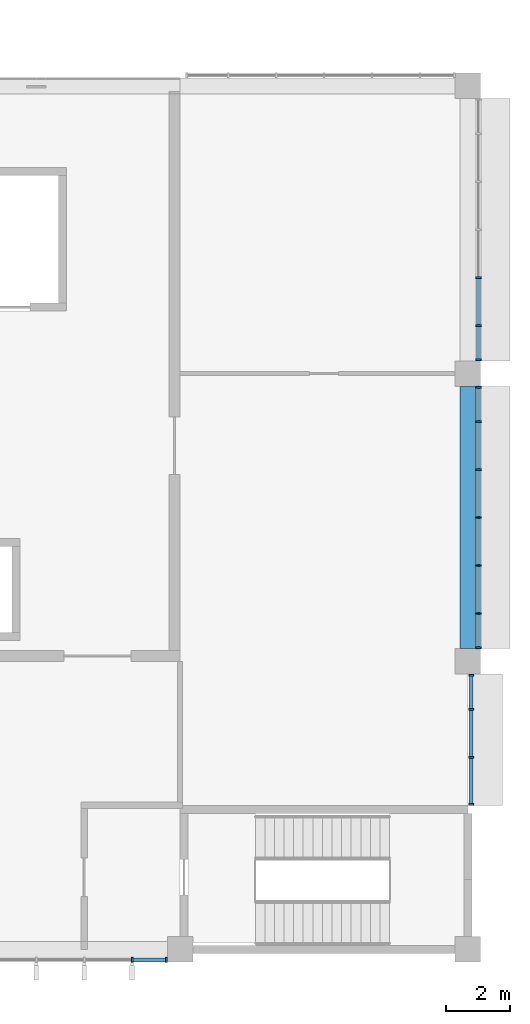
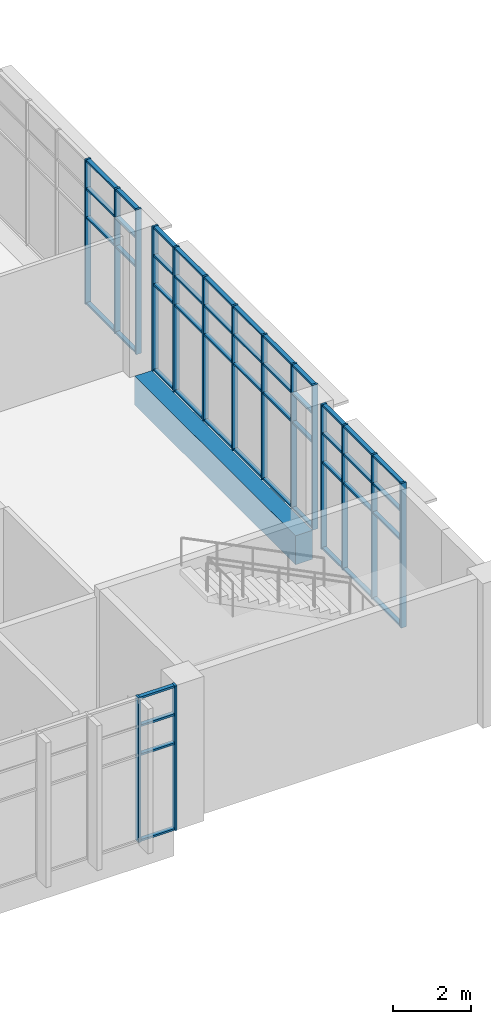
# One storey, part 22 of 43: 64 members, 1 beam, 4 elements without a shape of their own.
"""IFC4 building model written with IfcOpenShell, lengths in metres."""

from ifc_helpers import new_model, si_unit, direction, frame, origin, origin_2d, place, context, subcontext, project, spatial, rectangle, extrude, material, layer, layer_set, material_profile, profile_set, type_object, element, aggregate, save


model = new_model("IFC4")

# Units and contexts
model_context = context("Model", 3, precision=1e-05, world=origin(), true_north=direction((0.0, 1.0)))
body_context = subcontext(model_context, "Body", "Model", "MODEL_VIEW")
ifc_project = project(units=[si_unit("LENGTHUNIT", "METRE"), si_unit("AREAUNIT", "SQUARE_METRE"), si_unit("VOLUMEUNIT", "CUBIC_METRE"), si_unit("PLANEANGLEUNIT", "RADIAN"), si_unit("MASSUNIT", "GRAM", prefix="KILO")], contexts=[model_context])

# Site, building, storey
site_placement = place(None, origin())
site = spatial("IfcSite", under=ifc_project, at=site_placement, CompositionType="ELEMENT")
building_placement = place(site_placement, origin())
building = spatial("IfcBuilding", under=site, at=building_placement, Name="Guidao Yard Department Store", CompositionType="ELEMENT")
storey_placement = place(building_placement, frame((0.0, 0.0, 28.5)))
storey = spatial("IfcBuildingStorey", under=building, at=storey_placement, Name="L06", CompositionType="ELEMENT", Elevation=28.5)

# Curtain wall, members
ifc_material_1 = material(Name="Aluminium and glass", Category="aluminium")
ifc_layer = layer(ifc_material_1, 0.159912109375)
ifc_layer_set = layer_set([ifc_layer], Name="Unitised curtain wall CW4 1500 module")
curtain_wall_type = type_object("IfcCurtainWallType", Name="Unitised curtain wall CW4 1500 module", PredefinedType="NOTDEFINED", material=ifc_layer_set)
curtain_wall_1_placement = place(storey_placement, origin())
curtain_wall_1 = element("IfcCurtainWall", 1, at=curtain_wall_1_placement, inside=storey, type_object=curtain_wall_type, Name="Unitised curtain wall", PredefinedType="NOTDEFINED")
ifc_material_2 = material(Name="Aluminium 6063-T5", Category="aluminium")
ifc_material_profile_1 = material_profile(ifc_material_2, rectangle(XDim=0.06005859375, YDim=0.159912109375, at=origin_2d()), Name="Mullion M1 60 x 160 aluminium pressure plate")
ifc_profile_set_1 = profile_set([ifc_material_profile_1], Name="Aluminium 6063-T5")
member_type_1 = type_object("IfcMemberType", Name="Mullion M1 60 x 160 aluminium pressure plate", PredefinedType="MULLION", material=ifc_profile_set_1)
member_1_placement = place(storey_placement, frame((160.5, -0.330078125, 0.0), z_axis=(0.0, 0.0, 1.0), x_axis=(-1.0, 0.0, 0.0)))
member_1 = element("IfcMember", 2, at=member_1_placement, type_object=member_type_1, Name="CW-OW-L06-04 mullion 6", PredefinedType="MULLION", context=body_context, shape_type="SweptSolid", body=[
    extrude(rectangle(XDim=0.06005859375, YDim=0.159912109375, at=origin_2d()), origin(), (0.0, 0.0, 1.0), 4.5),
])
member_2_placement = place(storey_placement, frame((161.570068359375, -0.330078125, 0.0), z_axis=(0.0, 0.0, 1.0), x_axis=(-1.0, 0.0, 0.0)))
member_2 = element("IfcMember", 3, at=member_2_placement, type_object=member_type_1, Name="CW-OW-L06-04 mullion 7", PredefinedType="MULLION", context=body_context, shape_type="SweptSolid", body=[
    extrude(rectangle(XDim=0.06005859375, YDim=0.159912109375, at=origin_2d()), origin(), (0.0, 0.0, 1.0), 4.5),
])

curtain_wall_2_placement = place(storey_placement, origin())
curtain_wall_2 = element("IfcCurtainWall", 4, at=curtain_wall_2_placement, inside=storey, type_object=curtain_wall_type, Name="Unitised curtain wall", PredefinedType="NOTDEFINED")
member_3_placement = place(storey_placement, frame((171.10009765625, 4.530029296875, 0.0), z_axis=(0.0, 0.0, 1.0), x_axis=(0.0, -1.0, 0.0)))
member_3 = element("IfcMember", 5, at=member_3_placement, type_object=member_type_1, Name="CW-OW-L06-09 mullion 1", PredefinedType="MULLION", context=body_context, shape_type="SweptSolid", body=[
    extrude(rectangle(XDim=0.06005859375, YDim=0.159912109375, at=origin_2d()), origin(), (0.0, 0.0, 1.0), 4.5),
])
member_4_placement = place(storey_placement, frame((171.10009765625, 6.0, 0.0), z_axis=(0.0, 0.0, 1.0), x_axis=(0.0, -1.0, 0.0)))
member_4 = element("IfcMember", 6, at=member_4_placement, type_object=member_type_1, Name="CW-OW-L06-09 mullion 2", PredefinedType="MULLION", context=body_context, shape_type="SweptSolid", body=[
    extrude(rectangle(XDim=0.06005859375, YDim=0.159912109375, at=origin_2d()), origin(), (0.0, 0.0, 1.0), 4.5),
])
member_5_placement = place(storey_placement, frame((171.10009765625, 7.5, 0.0), z_axis=(0.0, 0.0, 1.0), x_axis=(0.0, -1.0, 0.0)))
member_5 = element("IfcMember", 7, at=member_5_placement, type_object=member_type_1, Name="CW-OW-L06-09 mullion 3", PredefinedType="MULLION", context=body_context, shape_type="SweptSolid", body=[
    extrude(rectangle(XDim=0.06005859375, YDim=0.159912109375, at=origin_2d()), origin(), (0.0, 0.0, 1.0), 4.5),
])
member_6_placement = place(storey_placement, frame((171.10009765625, 8.570068359375, 0.0), z_axis=(0.0, 0.0, 1.0), x_axis=(0.0, -1.0, 0.0)))
member_6 = element("IfcMember", 8, at=member_6_placement, type_object=member_type_1, Name="CW-OW-L06-09 mullion 4", PredefinedType="MULLION", context=body_context, shape_type="SweptSolid", body=[
    extrude(rectangle(XDim=0.06005859375, YDim=0.159912109375, at=origin_2d()), origin(), (0.0, 0.0, 1.0), 4.5),
])

curtain_wall_3_placement = place(storey_placement, origin())
curtain_wall_3 = element("IfcCurtainWall", 9, at=curtain_wall_3_placement, inside=storey, type_object=curtain_wall_type, Name="Unitised curtain wall", PredefinedType="NOTDEFINED")
member_7_placement = place(storey_placement, frame((171.330078125, 9.429931640625, 0.0), z_axis=(0.0, 0.0, 1.0), x_axis=(0.0, -1.0, 0.0)))
member_7 = element("IfcMember", 10, at=member_7_placement, type_object=member_type_1, Name="CW-OW-L06-10 mullion 1", PredefinedType="MULLION", context=body_context, shape_type="SweptSolid", body=[
    extrude(rectangle(XDim=0.06005859375, YDim=0.159912109375, at=origin_2d()), origin(), (0.0, 0.0, 1.0), 4.5),
])
member_8_placement = place(storey_placement, frame((171.330078125, 10.5, 0.0), z_axis=(0.0, 0.0, 1.0), x_axis=(0.0, -1.0, 0.0)))
member_8 = element("IfcMember", 11, at=member_8_placement, type_object=member_type_1, Name="CW-OW-L06-10 mullion 2", PredefinedType="MULLION", context=body_context, shape_type="SweptSolid", body=[
    extrude(rectangle(XDim=0.06005859375, YDim=0.159912109375, at=origin_2d()), origin(), (0.0, 0.0, 1.0), 4.5),
])
member_9_placement = place(storey_placement, frame((171.330078125, 12.0, 0.0), z_axis=(0.0, 0.0, 1.0), x_axis=(0.0, -1.0, 0.0)))
member_9 = element("IfcMember", 12, at=member_9_placement, type_object=member_type_1, Name="CW-OW-L06-10 mullion 3", PredefinedType="MULLION", context=body_context, shape_type="SweptSolid", body=[
    extrude(rectangle(XDim=0.06005859375, YDim=0.159912109375, at=origin_2d()), origin(), (0.0, 0.0, 1.0), 4.5),
])
member_10_placement = place(storey_placement, frame((171.330078125, 13.5, 0.0), z_axis=(0.0, 0.0, 1.0), x_axis=(0.0, -1.0, 0.0)))
member_10 = element("IfcMember", 13, at=member_10_placement, type_object=member_type_1, Name="CW-OW-L06-10 mullion 4", PredefinedType="MULLION", context=body_context, shape_type="SweptSolid", body=[
    extrude(rectangle(XDim=0.06005859375, YDim=0.159912109375, at=origin_2d()), origin(), (0.0, 0.0, 1.0), 4.5),
])
member_11_placement = place(storey_placement, frame((171.330078125, 15.0, 0.0), z_axis=(0.0, 0.0, 1.0), x_axis=(0.0, -1.0, 0.0)))
member_11 = element("IfcMember", 14, at=member_11_placement, type_object=member_type_1, Name="CW-OW-L06-10 mullion 5", PredefinedType="MULLION", context=body_context, shape_type="SweptSolid", body=[
    extrude(rectangle(XDim=0.06005859375, YDim=0.159912109375, at=origin_2d()), origin(), (0.0, 0.0, 1.0), 4.5),
])
member_12_placement = place(storey_placement, frame((171.330078125, 16.5, 0.0), z_axis=(0.0, 0.0, 1.0), x_axis=(0.0, -1.0, 0.0)))
member_12 = element("IfcMember", 15, at=member_12_placement, type_object=member_type_1, Name="CW-OW-L06-10 mullion 6", PredefinedType="MULLION", context=body_context, shape_type="SweptSolid", body=[
    extrude(rectangle(XDim=0.06005859375, YDim=0.159912109375, at=origin_2d()), origin(), (0.0, 0.0, 1.0), 4.5),
])
member_13_placement = place(storey_placement, frame((171.330078125, 17.570068359375, 0.0), z_axis=(0.0, 0.0, 1.0), x_axis=(0.0, -1.0, 0.0)))
member_13 = element("IfcMember", 16, at=member_13_placement, type_object=member_type_1, Name="CW-OW-L06-10 mullion 7", PredefinedType="MULLION", context=body_context, shape_type="SweptSolid", body=[
    extrude(rectangle(XDim=0.06005859375, YDim=0.159912109375, at=origin_2d()), origin(), (0.0, 0.0, 1.0), 4.5),
])

curtain_wall_4_placement = place(storey_placement, origin())
curtain_wall_4 = element("IfcCurtainWall", 17, at=curtain_wall_4_placement, inside=storey, type_object=curtain_wall_type, Name="Unitised curtain wall", PredefinedType="NOTDEFINED")
member_14_placement = place(storey_placement, frame((171.330078125, 18.429931640625, 0.0), z_axis=(0.0, 0.0, 1.0), x_axis=(0.0, -1.0, 0.0)))
member_14 = element("IfcMember", 18, at=member_14_placement, type_object=member_type_1, Name="CW-OW-L06-11 mullion 1", PredefinedType="MULLION", context=body_context, shape_type="SweptSolid", body=[
    extrude(rectangle(XDim=0.06005859375, YDim=0.159912109375, at=origin_2d()), origin(), (0.0, 0.0, 1.0), 4.5),
])
member_15_placement = place(storey_placement, frame((171.330078125, 19.5, 0.0), z_axis=(0.0, 0.0, 1.0), x_axis=(0.0, -1.0, 0.0)))
member_15 = element("IfcMember", 19, at=member_15_placement, type_object=member_type_1, Name="CW-OW-L06-11 mullion 2", PredefinedType="MULLION", context=body_context, shape_type="SweptSolid", body=[
    extrude(rectangle(XDim=0.06005859375, YDim=0.159912109375, at=origin_2d()), origin(), (0.0, 0.0, 1.0), 4.5),
])
member_16_placement = place(storey_placement, frame((171.330078125, 21.0, 0.0), z_axis=(0.0, 0.0, 1.0), x_axis=(0.0, -1.0, 0.0)))
member_16 = element("IfcMember", 20, at=member_16_placement, type_object=member_type_1, Name="CW-OW-L06-11 mullion 3", PredefinedType="MULLION", context=body_context, shape_type="SweptSolid", body=[
    extrude(rectangle(XDim=0.06005859375, YDim=0.159912109375, at=origin_2d()), origin(), (0.0, 0.0, 1.0), 4.5),
])

# Beam
ifc_material_3 = material(Name="Concrete C40", Category="concrete")
ifc_material_profile_2 = material_profile(ifc_material_3, rectangle(XDim=0.5, YDim=0.89990234375, at=origin_2d()), Name="Spandrel beam 500 x 900 C40")
ifc_profile_set_2 = profile_set([ifc_material_profile_2], Name="Concrete C40")
beam_type = type_object("IfcBeamType", Name="Spandrel beam 500 x 900 C40", PredefinedType="SPANDREL", material=ifc_profile_set_2)
beam_placement = place(storey_placement, frame((171.0, 9.39990234375, -0.449951171875), z_axis=(0.0, 1.0, 0.0), x_axis=(-1.0, 0.0, 0.0)))
element("IfcBeam", 21, at=beam_placement, inside=storey, type_object=beam_type, Name="Beam FB09", PredefinedType="SPANDREL", context=body_context, shape_type="SweptSolid", body=[
    extrude(rectangle(XDim=0.5, YDim=0.89990234375, at=origin_2d()), origin(), (0.0, 0.0, 1.0), 8.2001953125),
])

# Member
ifc_material_4 = material(Name="Aluminium 6063-T5", Category="aluminium")
ifc_material_profile_3 = material_profile(ifc_material_4, rectangle(XDim=0.1201171875, YDim=0.06005859375, at=origin_2d()), Name="Transom T1 60 x 120 aluminium pressure plate")
ifc_profile_set_3 = profile_set([ifc_material_profile_3], Name="Aluminium 6063-T5")
member_type_2 = type_object("IfcMemberType", Name="Transom T1 60 x 120 aluminium pressure plate", PredefinedType="USERDEFINED", material=ifc_profile_set_3)
member_17_placement = place(storey_placement, frame((161.5400390625, -0.330078125, 0.030029296875), z_axis=(-1.0, 0.0, 0.0), x_axis=(0.0, -1.0, 0.0)))
member_17 = element("IfcMember", 22, at=member_17_placement, type_object=member_type_2, Name="CW-OW-L06-04 transom 6.1", ObjectType="TRANSOM", PredefinedType="USERDEFINED", context=body_context, shape_type="SweptSolid", body=[
    extrude(rectangle(XDim=0.1201171875, YDim=0.06005859375, at=origin_2d()), origin(), (0.0, 0.0, 1.0), 1.010009765625),
])

member_18_placement = place(storey_placement, frame((161.5400390625, -0.330078125, 2.699951171875), z_axis=(-1.0, 0.0, 0.0), x_axis=(0.0, -1.0, 0.0)))
member_18 = element("IfcMember", 23, at=member_18_placement, type_object=member_type_2, Name="CW-OW-L06-04 transom 6.2", ObjectType="TRANSOM", PredefinedType="USERDEFINED", context=body_context, shape_type="SweptSolid", body=[
    extrude(rectangle(XDim=0.1201171875, YDim=0.06005859375, at=origin_2d()), origin(), (0.0, 0.0, 1.0), 1.010009765625),
])

member_19_placement = place(storey_placement, frame((161.5400390625, -0.330078125, 3.60009765625), z_axis=(-1.0, 0.0, 0.0), x_axis=(0.0, -1.0, 0.0)))
member_19 = element("IfcMember", 24, at=member_19_placement, type_object=member_type_2, Name="CW-OW-L06-04 transom 6.3", ObjectType="TRANSOM", PredefinedType="USERDEFINED", context=body_context, shape_type="SweptSolid", body=[
    extrude(rectangle(XDim=0.1201171875, YDim=0.06005859375, at=origin_2d()), origin(), (0.0, 0.0, 1.0), 1.010009765625),
])

member_20_placement = place(storey_placement, frame((161.5400390625, -0.330078125, 4.469970703125), z_axis=(-1.0, 0.0, 0.0), x_axis=(0.0, -1.0, 0.0)))
member_20 = element("IfcMember", 25, at=member_20_placement, type_object=member_type_2, Name="CW-OW-L06-04 transom 6.4", ObjectType="TRANSOM", PredefinedType="USERDEFINED", context=body_context, shape_type="SweptSolid", body=[
    extrude(rectangle(XDim=0.1201171875, YDim=0.06005859375, at=origin_2d()), origin(), (0.0, 0.0, 1.0), 1.010009765625),
])

aggregate(curtain_wall_1, [member_1, member_2, member_17, member_18, member_19, member_20])

member_21_placement = place(storey_placement, frame((171.10009765625, 5.969970703125, 0.030029296875), z_axis=(0.0, -1.0, 0.0), x_axis=(1.0, 0.0, 0.0)))
member_21 = element("IfcMember", 26, at=member_21_placement, type_object=member_type_2, Name="CW-OW-L06-09 transom 1.1", ObjectType="TRANSOM", PredefinedType="USERDEFINED", context=body_context, shape_type="SweptSolid", body=[
    extrude(rectangle(XDim=0.1201171875, YDim=0.06005859375, at=origin_2d()), origin(), (0.0, 0.0, 1.0), 1.409912109375),
])

member_22_placement = place(storey_placement, frame((171.10009765625, 5.969970703125, 2.699951171875), z_axis=(0.0, -1.0, 0.0), x_axis=(1.0, 0.0, 0.0)))
member_22 = element("IfcMember", 27, at=member_22_placement, type_object=member_type_2, Name="CW-OW-L06-09 transom 1.2", ObjectType="TRANSOM", PredefinedType="USERDEFINED", context=body_context, shape_type="SweptSolid", body=[
    extrude(rectangle(XDim=0.1201171875, YDim=0.06005859375, at=origin_2d()), origin(), (0.0, 0.0, 1.0), 1.409912109375),
])

member_23_placement = place(storey_placement, frame((171.10009765625, 5.969970703125, 3.60009765625), z_axis=(0.0, -1.0, 0.0), x_axis=(1.0, 0.0, 0.0)))
member_23 = element("IfcMember", 28, at=member_23_placement, type_object=member_type_2, Name="CW-OW-L06-09 transom 1.3", ObjectType="TRANSOM", PredefinedType="USERDEFINED", context=body_context, shape_type="SweptSolid", body=[
    extrude(rectangle(XDim=0.1201171875, YDim=0.06005859375, at=origin_2d()), origin(), (0.0, 0.0, 1.0), 1.409912109375),
])

member_24_placement = place(storey_placement, frame((171.10009765625, 5.969970703125, 4.469970703125), z_axis=(0.0, -1.0, 0.0), x_axis=(1.0, 0.0, 0.0)))
member_24 = element("IfcMember", 29, at=member_24_placement, type_object=member_type_2, Name="CW-OW-L06-09 transom 1.4", ObjectType="TRANSOM", PredefinedType="USERDEFINED", context=body_context, shape_type="SweptSolid", body=[
    extrude(rectangle(XDim=0.1201171875, YDim=0.06005859375, at=origin_2d()), origin(), (0.0, 0.0, 1.0), 1.409912109375),
])

member_25_placement = place(storey_placement, frame((171.10009765625, 7.469970703125, 0.030029296875), z_axis=(0.0, -1.0, 0.0), x_axis=(1.0, 0.0, 0.0)))
member_25 = element("IfcMember", 30, at=member_25_placement, type_object=member_type_2, Name="CW-OW-L06-09 transom 2.1", ObjectType="TRANSOM", PredefinedType="USERDEFINED", context=body_context, shape_type="SweptSolid", body=[
    extrude(rectangle(XDim=0.1201171875, YDim=0.06005859375, at=origin_2d()), origin(), (0.0, 0.0, 1.0), 1.43994140625),
])

member_26_placement = place(storey_placement, frame((171.10009765625, 7.469970703125, 2.699951171875), z_axis=(0.0, -1.0, 0.0), x_axis=(1.0, 0.0, 0.0)))
member_26 = element("IfcMember", 31, at=member_26_placement, type_object=member_type_2, Name="CW-OW-L06-09 transom 2.2", ObjectType="TRANSOM", PredefinedType="USERDEFINED", context=body_context, shape_type="SweptSolid", body=[
    extrude(rectangle(XDim=0.1201171875, YDim=0.06005859375, at=origin_2d()), origin(), (0.0, 0.0, 1.0), 1.43994140625),
])

member_27_placement = place(storey_placement, frame((171.10009765625, 7.469970703125, 3.60009765625), z_axis=(0.0, -1.0, 0.0), x_axis=(1.0, 0.0, 0.0)))
member_27 = element("IfcMember", 32, at=member_27_placement, type_object=member_type_2, Name="CW-OW-L06-09 transom 2.3", ObjectType="TRANSOM", PredefinedType="USERDEFINED", context=body_context, shape_type="SweptSolid", body=[
    extrude(rectangle(XDim=0.1201171875, YDim=0.06005859375, at=origin_2d()), origin(), (0.0, 0.0, 1.0), 1.43994140625),
])

member_28_placement = place(storey_placement, frame((171.10009765625, 7.469970703125, 4.469970703125), z_axis=(0.0, -1.0, 0.0), x_axis=(1.0, 0.0, 0.0)))
member_28 = element("IfcMember", 33, at=member_28_placement, type_object=member_type_2, Name="CW-OW-L06-09 transom 2.4", ObjectType="TRANSOM", PredefinedType="USERDEFINED", context=body_context, shape_type="SweptSolid", body=[
    extrude(rectangle(XDim=0.1201171875, YDim=0.06005859375, at=origin_2d()), origin(), (0.0, 0.0, 1.0), 1.43994140625),
])

member_29_placement = place(storey_placement, frame((171.10009765625, 8.5400390625, 0.030029296875), z_axis=(0.0, -1.0, 0.0), x_axis=(1.0, 0.0, 0.0)))
member_29 = element("IfcMember", 34, at=member_29_placement, type_object=member_type_2, Name="CW-OW-L06-09 transom 3.1", ObjectType="TRANSOM", PredefinedType="USERDEFINED", context=body_context, shape_type="SweptSolid", body=[
    extrude(rectangle(XDim=0.1201171875, YDim=0.06005859375, at=origin_2d()), origin(), (0.0, 0.0, 1.0), 1.010009765625),
])

member_30_placement = place(storey_placement, frame((171.10009765625, 8.5400390625, 2.699951171875), z_axis=(0.0, -1.0, 0.0), x_axis=(1.0, 0.0, 0.0)))
member_30 = element("IfcMember", 35, at=member_30_placement, type_object=member_type_2, Name="CW-OW-L06-09 transom 3.2", ObjectType="TRANSOM", PredefinedType="USERDEFINED", context=body_context, shape_type="SweptSolid", body=[
    extrude(rectangle(XDim=0.1201171875, YDim=0.06005859375, at=origin_2d()), origin(), (0.0, 0.0, 1.0), 1.010009765625),
])

member_31_placement = place(storey_placement, frame((171.10009765625, 8.5400390625, 3.60009765625), z_axis=(0.0, -1.0, 0.0), x_axis=(1.0, 0.0, 0.0)))
member_31 = element("IfcMember", 36, at=member_31_placement, type_object=member_type_2, Name="CW-OW-L06-09 transom 3.3", ObjectType="TRANSOM", PredefinedType="USERDEFINED", context=body_context, shape_type="SweptSolid", body=[
    extrude(rectangle(XDim=0.1201171875, YDim=0.06005859375, at=origin_2d()), origin(), (0.0, 0.0, 1.0), 1.010009765625),
])

member_32_placement = place(storey_placement, frame((171.10009765625, 8.5400390625, 4.469970703125), z_axis=(0.0, -1.0, 0.0), x_axis=(1.0, 0.0, 0.0)))
member_32 = element("IfcMember", 37, at=member_32_placement, type_object=member_type_2, Name="CW-OW-L06-09 transom 3.4", ObjectType="TRANSOM", PredefinedType="USERDEFINED", context=body_context, shape_type="SweptSolid", body=[
    extrude(rectangle(XDim=0.1201171875, YDim=0.06005859375, at=origin_2d()), origin(), (0.0, 0.0, 1.0), 1.010009765625),
])

aggregate(curtain_wall_2, [member_3, member_4, member_5, member_6, member_21, member_22, member_23, member_24, member_25, member_26, member_27, member_28, member_29, member_30, member_31, member_32])

member_33_placement = place(storey_placement, frame((171.330078125, 10.469970703125, 0.030029296875), z_axis=(0.0, -1.0, 0.0), x_axis=(1.0, 0.0, 0.0)))
member_33 = element("IfcMember", 38, at=member_33_placement, type_object=member_type_2, Name="CW-OW-L06-10 transom 1.1", ObjectType="TRANSOM", PredefinedType="USERDEFINED", context=body_context, shape_type="SweptSolid", body=[
    extrude(rectangle(XDim=0.1201171875, YDim=0.06005859375, at=origin_2d()), origin(), (0.0, 0.0, 1.0), 1.010009765625),
])

member_34_placement = place(storey_placement, frame((171.330078125, 10.469970703125, 2.699951171875), z_axis=(0.0, -1.0, 0.0), x_axis=(1.0, 0.0, 0.0)))
member_34 = element("IfcMember", 39, at=member_34_placement, type_object=member_type_2, Name="CW-OW-L06-10 transom 1.2", ObjectType="TRANSOM", PredefinedType="USERDEFINED", context=body_context, shape_type="SweptSolid", body=[
    extrude(rectangle(XDim=0.1201171875, YDim=0.06005859375, at=origin_2d()), origin(), (0.0, 0.0, 1.0), 1.010009765625),
])

member_35_placement = place(storey_placement, frame((171.330078125, 10.469970703125, 3.60009765625), z_axis=(0.0, -1.0, 0.0), x_axis=(1.0, 0.0, 0.0)))
member_35 = element("IfcMember", 40, at=member_35_placement, type_object=member_type_2, Name="CW-OW-L06-10 transom 1.3", ObjectType="TRANSOM", PredefinedType="USERDEFINED", context=body_context, shape_type="SweptSolid", body=[
    extrude(rectangle(XDim=0.1201171875, YDim=0.06005859375, at=origin_2d()), origin(), (0.0, 0.0, 1.0), 1.010009765625),
])

member_36_placement = place(storey_placement, frame((171.330078125, 10.469970703125, 4.469970703125), z_axis=(0.0, -1.0, 0.0), x_axis=(1.0, 0.0, 0.0)))
member_36 = element("IfcMember", 41, at=member_36_placement, type_object=member_type_2, Name="CW-OW-L06-10 transom 1.4", ObjectType="TRANSOM", PredefinedType="USERDEFINED", context=body_context, shape_type="SweptSolid", body=[
    extrude(rectangle(XDim=0.1201171875, YDim=0.06005859375, at=origin_2d()), origin(), (0.0, 0.0, 1.0), 1.010009765625),
])

member_37_placement = place(storey_placement, frame((171.330078125, 11.969970703125, 0.030029296875), z_axis=(0.0, -1.0, 0.0), x_axis=(1.0, 0.0, 0.0)))
member_37 = element("IfcMember", 42, at=member_37_placement, type_object=member_type_2, Name="CW-OW-L06-10 transom 2.1", ObjectType="TRANSOM", PredefinedType="USERDEFINED", context=body_context, shape_type="SweptSolid", body=[
    extrude(rectangle(XDim=0.1201171875, YDim=0.06005859375, at=origin_2d()), origin(), (0.0, 0.0, 1.0), 1.43994140625),
])

member_38_placement = place(storey_placement, frame((171.330078125, 11.969970703125, 2.699951171875), z_axis=(0.0, -1.0, 0.0), x_axis=(1.0, 0.0, 0.0)))
member_38 = element("IfcMember", 43, at=member_38_placement, type_object=member_type_2, Name="CW-OW-L06-10 transom 2.2", ObjectType="TRANSOM", PredefinedType="USERDEFINED", context=body_context, shape_type="SweptSolid", body=[
    extrude(rectangle(XDim=0.1201171875, YDim=0.06005859375, at=origin_2d()), origin(), (0.0, 0.0, 1.0), 1.43994140625),
])

member_39_placement = place(storey_placement, frame((171.330078125, 11.969970703125, 3.60009765625), z_axis=(0.0, -1.0, 0.0), x_axis=(1.0, 0.0, 0.0)))
member_39 = element("IfcMember", 44, at=member_39_placement, type_object=member_type_2, Name="CW-OW-L06-10 transom 2.3", ObjectType="TRANSOM", PredefinedType="USERDEFINED", context=body_context, shape_type="SweptSolid", body=[
    extrude(rectangle(XDim=0.1201171875, YDim=0.06005859375, at=origin_2d()), origin(), (0.0, 0.0, 1.0), 1.43994140625),
])

member_40_placement = place(storey_placement, frame((171.330078125, 11.969970703125, 4.469970703125), z_axis=(0.0, -1.0, 0.0), x_axis=(1.0, 0.0, 0.0)))
member_40 = element("IfcMember", 45, at=member_40_placement, type_object=member_type_2, Name="CW-OW-L06-10 transom 2.4", ObjectType="TRANSOM", PredefinedType="USERDEFINED", context=body_context, shape_type="SweptSolid", body=[
    extrude(rectangle(XDim=0.1201171875, YDim=0.06005859375, at=origin_2d()), origin(), (0.0, 0.0, 1.0), 1.43994140625),
])

member_41_placement = place(storey_placement, frame((171.330078125, 13.469970703125, 0.030029296875), z_axis=(0.0, -1.0, 0.0), x_axis=(1.0, 0.0, 0.0)))
member_41 = element("IfcMember", 46, at=member_41_placement, type_object=member_type_2, Name="CW-OW-L06-10 transom 3.1", ObjectType="TRANSOM", PredefinedType="USERDEFINED", context=body_context, shape_type="SweptSolid", body=[
    extrude(rectangle(XDim=0.1201171875, YDim=0.06005859375, at=origin_2d()), origin(), (0.0, 0.0, 1.0), 1.43994140625),
])

member_42_placement = place(storey_placement, frame((171.330078125, 13.469970703125, 2.699951171875), z_axis=(0.0, -1.0, 0.0), x_axis=(1.0, 0.0, 0.0)))
member_42 = element("IfcMember", 47, at=member_42_placement, type_object=member_type_2, Name="CW-OW-L06-10 transom 3.2", ObjectType="TRANSOM", PredefinedType="USERDEFINED", context=body_context, shape_type="SweptSolid", body=[
    extrude(rectangle(XDim=0.1201171875, YDim=0.06005859375, at=origin_2d()), origin(), (0.0, 0.0, 1.0), 1.43994140625),
])

member_43_placement = place(storey_placement, frame((171.330078125, 13.469970703125, 3.60009765625), z_axis=(0.0, -1.0, 0.0), x_axis=(1.0, 0.0, 0.0)))
member_43 = element("IfcMember", 48, at=member_43_placement, type_object=member_type_2, Name="CW-OW-L06-10 transom 3.3", ObjectType="TRANSOM", PredefinedType="USERDEFINED", context=body_context, shape_type="SweptSolid", body=[
    extrude(rectangle(XDim=0.1201171875, YDim=0.06005859375, at=origin_2d()), origin(), (0.0, 0.0, 1.0), 1.43994140625),
])

member_44_placement = place(storey_placement, frame((171.330078125, 13.469970703125, 4.469970703125), z_axis=(0.0, -1.0, 0.0), x_axis=(1.0, 0.0, 0.0)))
member_44 = element("IfcMember", 49, at=member_44_placement, type_object=member_type_2, Name="CW-OW-L06-10 transom 3.4", ObjectType="TRANSOM", PredefinedType="USERDEFINED", context=body_context, shape_type="SweptSolid", body=[
    extrude(rectangle(XDim=0.1201171875, YDim=0.06005859375, at=origin_2d()), origin(), (0.0, 0.0, 1.0), 1.43994140625),
])

member_45_placement = place(storey_placement, frame((171.330078125, 14.969970703125, 0.030029296875), z_axis=(0.0, -1.0, 0.0), x_axis=(1.0, 0.0, 0.0)))
member_45 = element("IfcMember", 50, at=member_45_placement, type_object=member_type_2, Name="CW-OW-L06-10 transom 4.1", ObjectType="TRANSOM", PredefinedType="USERDEFINED", context=body_context, shape_type="SweptSolid", body=[
    extrude(rectangle(XDim=0.1201171875, YDim=0.06005859375, at=origin_2d()), origin(), (0.0, 0.0, 1.0), 1.43994140625),
])

member_46_placement = place(storey_placement, frame((171.330078125, 14.969970703125, 2.699951171875), z_axis=(0.0, -1.0, 0.0), x_axis=(1.0, 0.0, 0.0)))
member_46 = element("IfcMember", 51, at=member_46_placement, type_object=member_type_2, Name="CW-OW-L06-10 transom 4.2", ObjectType="TRANSOM", PredefinedType="USERDEFINED", context=body_context, shape_type="SweptSolid", body=[
    extrude(rectangle(XDim=0.1201171875, YDim=0.06005859375, at=origin_2d()), origin(), (0.0, 0.0, 1.0), 1.43994140625),
])

member_47_placement = place(storey_placement, frame((171.330078125, 14.969970703125, 3.60009765625), z_axis=(0.0, -1.0, 0.0), x_axis=(1.0, 0.0, 0.0)))
member_47 = element("IfcMember", 52, at=member_47_placement, type_object=member_type_2, Name="CW-OW-L06-10 transom 4.3", ObjectType="TRANSOM", PredefinedType="USERDEFINED", context=body_context, shape_type="SweptSolid", body=[
    extrude(rectangle(XDim=0.1201171875, YDim=0.06005859375, at=origin_2d()), origin(), (0.0, 0.0, 1.0), 1.43994140625),
])

member_48_placement = place(storey_placement, frame((171.330078125, 14.969970703125, 4.469970703125), z_axis=(0.0, -1.0, 0.0), x_axis=(1.0, 0.0, 0.0)))
member_48 = element("IfcMember", 53, at=member_48_placement, type_object=member_type_2, Name="CW-OW-L06-10 transom 4.4", ObjectType="TRANSOM", PredefinedType="USERDEFINED", context=body_context, shape_type="SweptSolid", body=[
    extrude(rectangle(XDim=0.1201171875, YDim=0.06005859375, at=origin_2d()), origin(), (0.0, 0.0, 1.0), 1.43994140625),
])

member_49_placement = place(storey_placement, frame((171.330078125, 16.469970703125, 0.030029296875), z_axis=(0.0, -1.0, 0.0), x_axis=(1.0, 0.0, 0.0)))
member_49 = element("IfcMember", 54, at=member_49_placement, type_object=member_type_2, Name="CW-OW-L06-10 transom 5.1", ObjectType="TRANSOM", PredefinedType="USERDEFINED", context=body_context, shape_type="SweptSolid", body=[
    extrude(rectangle(XDim=0.1201171875, YDim=0.06005859375, at=origin_2d()), origin(), (0.0, 0.0, 1.0), 1.43994140625),
])

member_50_placement = place(storey_placement, frame((171.330078125, 16.469970703125, 2.699951171875), z_axis=(0.0, -1.0, 0.0), x_axis=(1.0, 0.0, 0.0)))
member_50 = element("IfcMember", 55, at=member_50_placement, type_object=member_type_2, Name="CW-OW-L06-10 transom 5.2", ObjectType="TRANSOM", PredefinedType="USERDEFINED", context=body_context, shape_type="SweptSolid", body=[
    extrude(rectangle(XDim=0.1201171875, YDim=0.06005859375, at=origin_2d()), origin(), (0.0, 0.0, 1.0), 1.43994140625),
])

member_51_placement = place(storey_placement, frame((171.330078125, 16.469970703125, 3.60009765625), z_axis=(0.0, -1.0, 0.0), x_axis=(1.0, 0.0, 0.0)))
member_51 = element("IfcMember", 56, at=member_51_placement, type_object=member_type_2, Name="CW-OW-L06-10 transom 5.3", ObjectType="TRANSOM", PredefinedType="USERDEFINED", context=body_context, shape_type="SweptSolid", body=[
    extrude(rectangle(XDim=0.1201171875, YDim=0.06005859375, at=origin_2d()), origin(), (0.0, 0.0, 1.0), 1.43994140625),
])

member_52_placement = place(storey_placement, frame((171.330078125, 16.469970703125, 4.469970703125), z_axis=(0.0, -1.0, 0.0), x_axis=(1.0, 0.0, 0.0)))
member_52 = element("IfcMember", 57, at=member_52_placement, type_object=member_type_2, Name="CW-OW-L06-10 transom 5.4", ObjectType="TRANSOM", PredefinedType="USERDEFINED", context=body_context, shape_type="SweptSolid", body=[
    extrude(rectangle(XDim=0.1201171875, YDim=0.06005859375, at=origin_2d()), origin(), (0.0, 0.0, 1.0), 1.43994140625),
])

member_53_placement = place(storey_placement, frame((171.330078125, 17.5400390625, 0.030029296875), z_axis=(0.0, -1.0, 0.0), x_axis=(1.0, 0.0, 0.0)))
member_53 = element("IfcMember", 58, at=member_53_placement, type_object=member_type_2, Name="CW-OW-L06-10 transom 6.1", ObjectType="TRANSOM", PredefinedType="USERDEFINED", context=body_context, shape_type="SweptSolid", body=[
    extrude(rectangle(XDim=0.1201171875, YDim=0.06005859375, at=origin_2d()), origin(), (0.0, 0.0, 1.0), 1.010009765625),
])

member_54_placement = place(storey_placement, frame((171.330078125, 17.5400390625, 2.699951171875), z_axis=(0.0, -1.0, 0.0), x_axis=(1.0, 0.0, 0.0)))
member_54 = element("IfcMember", 59, at=member_54_placement, type_object=member_type_2, Name="CW-OW-L06-10 transom 6.2", ObjectType="TRANSOM", PredefinedType="USERDEFINED", context=body_context, shape_type="SweptSolid", body=[
    extrude(rectangle(XDim=0.1201171875, YDim=0.06005859375, at=origin_2d()), origin(), (0.0, 0.0, 1.0), 1.010009765625),
])

member_55_placement = place(storey_placement, frame((171.330078125, 17.5400390625, 3.60009765625), z_axis=(0.0, -1.0, 0.0), x_axis=(1.0, 0.0, 0.0)))
member_55 = element("IfcMember", 60, at=member_55_placement, type_object=member_type_2, Name="CW-OW-L06-10 transom 6.3", ObjectType="TRANSOM", PredefinedType="USERDEFINED", context=body_context, shape_type="SweptSolid", body=[
    extrude(rectangle(XDim=0.1201171875, YDim=0.06005859375, at=origin_2d()), origin(), (0.0, 0.0, 1.0), 1.010009765625),
])

member_56_placement = place(storey_placement, frame((171.330078125, 17.5400390625, 4.469970703125), z_axis=(0.0, -1.0, 0.0), x_axis=(1.0, 0.0, 0.0)))
member_56 = element("IfcMember", 61, at=member_56_placement, type_object=member_type_2, Name="CW-OW-L06-10 transom 6.4", ObjectType="TRANSOM", PredefinedType="USERDEFINED", context=body_context, shape_type="SweptSolid", body=[
    extrude(rectangle(XDim=0.1201171875, YDim=0.06005859375, at=origin_2d()), origin(), (0.0, 0.0, 1.0), 1.010009765625),
])

aggregate(curtain_wall_3, [member_7, member_8, member_9, member_10, member_11, member_12, member_13, member_33, member_34, member_35, member_36, member_37, member_38, member_39, member_40, member_41, member_42, member_43, member_44, member_45, member_46, member_47, member_48, member_49, member_50, member_51, member_52, member_53, member_54, member_55, member_56])

member_57_placement = place(storey_placement, frame((171.330078125, 19.469970703125, 0.030029296875), z_axis=(0.0, -1.0, 0.0), x_axis=(1.0, 0.0, 0.0)))
member_57 = element("IfcMember", 62, at=member_57_placement, type_object=member_type_2, Name="CW-OW-L06-11 transom 1.1", ObjectType="TRANSOM", PredefinedType="USERDEFINED", context=body_context, shape_type="SweptSolid", body=[
    extrude(rectangle(XDim=0.1201171875, YDim=0.06005859375, at=origin_2d()), origin(), (0.0, 0.0, 1.0), 1.010009765625),
])

member_58_placement = place(storey_placement, frame((171.330078125, 19.469970703125, 2.699951171875), z_axis=(0.0, -1.0, 0.0), x_axis=(1.0, 0.0, 0.0)))
member_58 = element("IfcMember", 63, at=member_58_placement, type_object=member_type_2, Name="CW-OW-L06-11 transom 1.2", ObjectType="TRANSOM", PredefinedType="USERDEFINED", context=body_context, shape_type="SweptSolid", body=[
    extrude(rectangle(XDim=0.1201171875, YDim=0.06005859375, at=origin_2d()), origin(), (0.0, 0.0, 1.0), 1.010009765625),
])

member_59_placement = place(storey_placement, frame((171.330078125, 19.469970703125, 3.60009765625), z_axis=(0.0, -1.0, 0.0), x_axis=(1.0, 0.0, 0.0)))
member_59 = element("IfcMember", 64, at=member_59_placement, type_object=member_type_2, Name="CW-OW-L06-11 transom 1.3", ObjectType="TRANSOM", PredefinedType="USERDEFINED", context=body_context, shape_type="SweptSolid", body=[
    extrude(rectangle(XDim=0.1201171875, YDim=0.06005859375, at=origin_2d()), origin(), (0.0, 0.0, 1.0), 1.010009765625),
])

member_60_placement = place(storey_placement, frame((171.330078125, 19.469970703125, 4.469970703125), z_axis=(0.0, -1.0, 0.0), x_axis=(1.0, 0.0, 0.0)))
member_60 = element("IfcMember", 65, at=member_60_placement, type_object=member_type_2, Name="CW-OW-L06-11 transom 1.4", ObjectType="TRANSOM", PredefinedType="USERDEFINED", context=body_context, shape_type="SweptSolid", body=[
    extrude(rectangle(XDim=0.1201171875, YDim=0.06005859375, at=origin_2d()), origin(), (0.0, 0.0, 1.0), 1.010009765625),
])

member_61_placement = place(storey_placement, frame((171.330078125, 20.969970703125, 0.030029296875), z_axis=(0.0, -1.0, 0.0), x_axis=(1.0, 0.0, 0.0)))
member_61 = element("IfcMember", 66, at=member_61_placement, type_object=member_type_2, Name="CW-OW-L06-11 transom 2.1", ObjectType="TRANSOM", PredefinedType="USERDEFINED", context=body_context, shape_type="SweptSolid", body=[
    extrude(rectangle(XDim=0.1201171875, YDim=0.06005859375, at=origin_2d()), origin(), (0.0, 0.0, 1.0), 1.43994140625),
])

member_62_placement = place(storey_placement, frame((171.330078125, 20.969970703125, 2.699951171875), z_axis=(0.0, -1.0, 0.0), x_axis=(1.0, 0.0, 0.0)))
member_62 = element("IfcMember", 67, at=member_62_placement, type_object=member_type_2, Name="CW-OW-L06-11 transom 2.2", ObjectType="TRANSOM", PredefinedType="USERDEFINED", context=body_context, shape_type="SweptSolid", body=[
    extrude(rectangle(XDim=0.1201171875, YDim=0.06005859375, at=origin_2d()), origin(), (0.0, 0.0, 1.0), 1.43994140625),
])

member_63_placement = place(storey_placement, frame((171.330078125, 20.969970703125, 3.60009765625), z_axis=(0.0, -1.0, 0.0), x_axis=(1.0, 0.0, 0.0)))
member_63 = element("IfcMember", 68, at=member_63_placement, type_object=member_type_2, Name="CW-OW-L06-11 transom 2.3", ObjectType="TRANSOM", PredefinedType="USERDEFINED", context=body_context, shape_type="SweptSolid", body=[
    extrude(rectangle(XDim=0.1201171875, YDim=0.06005859375, at=origin_2d()), origin(), (0.0, 0.0, 1.0), 1.43994140625),
])

member_64_placement = place(storey_placement, frame((171.330078125, 20.969970703125, 4.469970703125), z_axis=(0.0, -1.0, 0.0), x_axis=(1.0, 0.0, 0.0)))
member_64 = element("IfcMember", 69, at=member_64_placement, type_object=member_type_2, Name="CW-OW-L06-11 transom 2.4", ObjectType="TRANSOM", PredefinedType="USERDEFINED", context=body_context, shape_type="SweptSolid", body=[
    extrude(rectangle(XDim=0.1201171875, YDim=0.06005859375, at=origin_2d()), origin(), (0.0, 0.0, 1.0), 1.43994140625),
])

aggregate(curtain_wall_4, [member_14, member_15, member_16, member_57, member_58, member_59, member_60, member_61, member_62, member_63, member_64])

save(model, "model.ifc")
